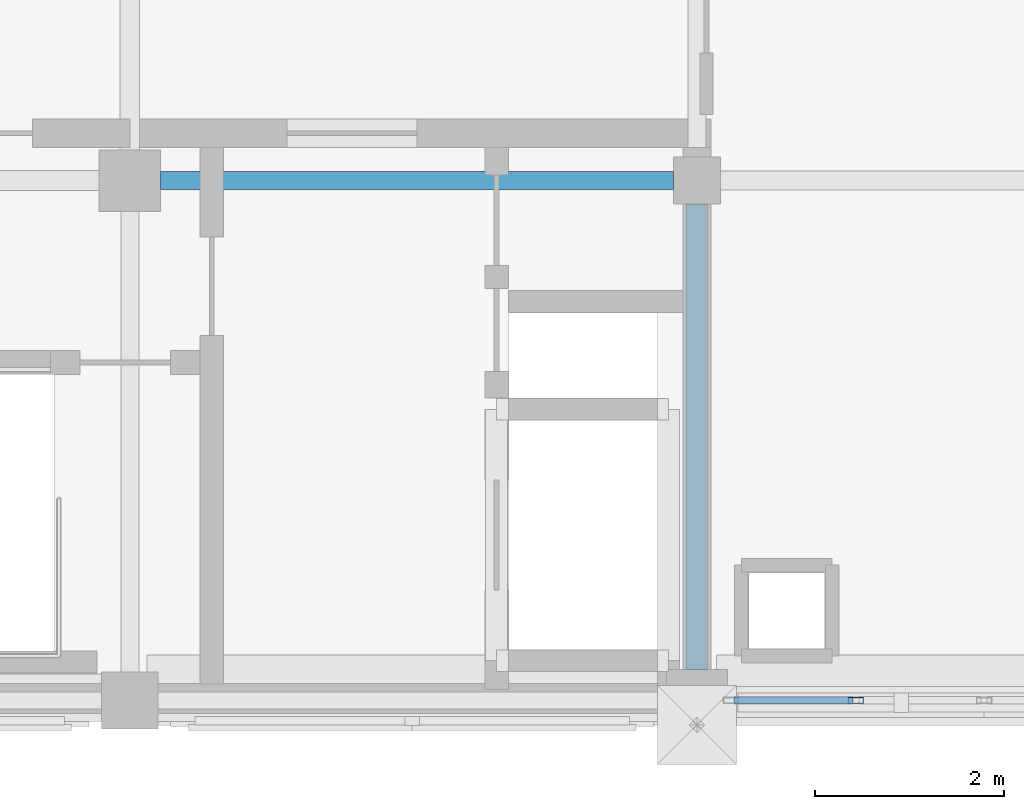
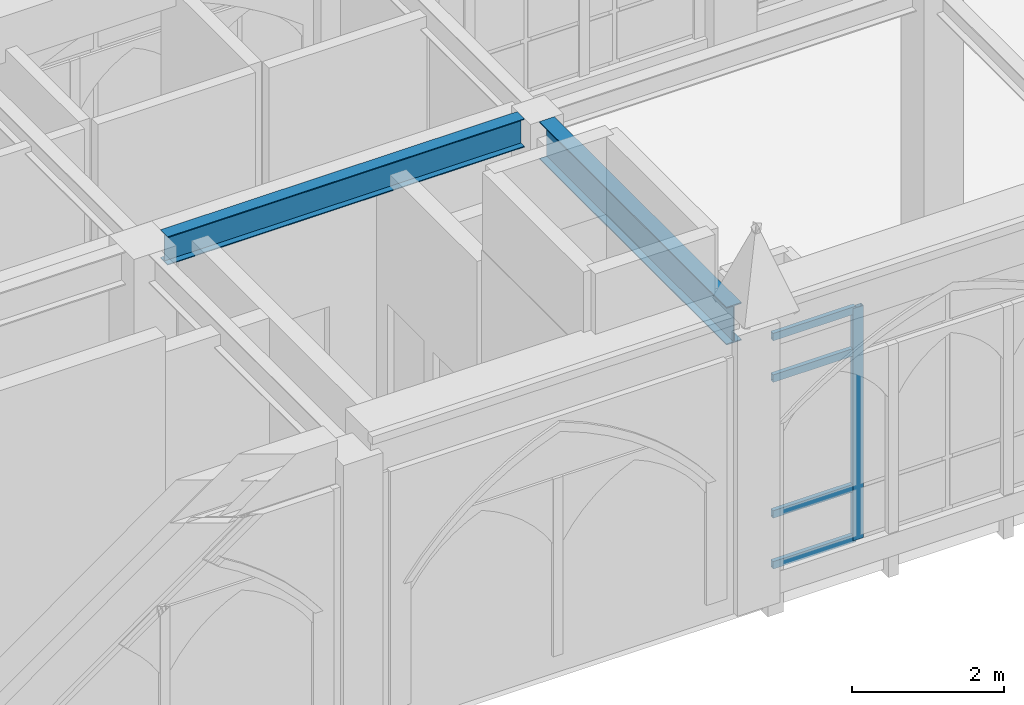
# One storey, part 3 of 143: 5 members, 2 beams, 1 element without a shape of its own.
"""IFC4 building model written with IfcOpenShell, lengths in metres."""

from ifc_helpers import new_model, si_unit, direction, frame, origin, origin_2d, place, context, subcontext, project, spatial, hollow_rectangle, i_section, extrude, material, layer, layer_set, material_profile, profile_set, type_object, element, aggregate, save


model = new_model("IFC4")

# Units and contexts
model_context = context("Model", 3, precision=1e-05, world=origin(), true_north=direction((0.0, 1.0)))
body_context = subcontext(model_context, "Body", "Model", "MODEL_VIEW")
ifc_project = project(units=[si_unit("LENGTHUNIT", "METRE"), si_unit("AREAUNIT", "SQUARE_METRE"), si_unit("VOLUMEUNIT", "CUBIC_METRE"), si_unit("PLANEANGLEUNIT", "RADIAN"), si_unit("MASSUNIT", "GRAM", prefix="KILO")], contexts=[model_context])

# Site, building, storey
site_placement = place(None, origin())
site = spatial("IfcSite", under=ifc_project, at=site_placement, CompositionType="ELEMENT")
building_placement = place(site_placement, origin())
building = spatial("IfcBuilding", under=site, at=building_placement, Name="Cumevento Cable Car Station", CompositionType="ELEMENT")
storey_placement = place(building_placement, frame((0.0, 0.0, 9.0)))
storey = spatial("IfcBuildingStorey", under=building, at=storey_placement, Name="L03", CompositionType="ELEMENT", Elevation=9.0)

# Curtain wall, members
ifc_material_1 = material(Name="Anodised Bronze Aluminium AW-6063-T6", Category="aluminium")
ifc_layer = layer(ifc_material_1, 0.18408203125)
ifc_layer_set = layer_set([ifc_layer], Name="Anodised Bronze Aluminium AW-6063-T6")
curtain_wall_type = type_object("IfcCurtainWallType", Name="Lancet Curtain Wall CW-05 1210", PredefinedType="NOTDEFINED", material=ifc_layer_set)
curtain_wall_placement = place(storey_placement, origin())
curtain_wall = element("IfcCurtainWall", 1, at=curtain_wall_placement, inside=storey, type_object=curtain_wall_type, Name="Lancet Curtain Wall CW-05 L03 #68", PredefinedType="NOTDEFINED")
ifc_material_2 = material(Name="Anodised Bronze Aluminium AW-6063-T6", Category="aluminium")
ifc_material_profile_1 = material_profile(ifc_material_2, hollow_rectangle(XDim=0.06494140625, YDim=0.159912109375, WallThickness=0.00390625, at=origin_2d()), Name="ALUM65x160x4")
ifc_profile_set_1 = profile_set([ifc_material_profile_1], Name="Anodised Bronze Aluminium AW-6063-T6")
member_type_1 = type_object("IfcMemberType", Name="Curtain Mullion CWM-01 ALUM65x160x4", PredefinedType="MULLION", material=ifc_profile_set_1)
member_1_placement = place(storey_placement, frame((35.68115234375, 4.0, 0.360107421875), z_axis=(0.0, 0.0, 1.0), x_axis=(0.0, -1.0, 0.0)))
member_1 = element("IfcMember", 2, at=member_1_placement, type_object=member_type_1, Name="CW-05 mullion 4", PredefinedType="MULLION", context=body_context, shape_type="SweptSolid", body=[
    extrude(hollow_rectangle(XDim=0.06494140625, YDim=0.159912109375, WallThickness=0.00390625, at=origin_2d()), origin(), (0.0, 0.0, 1.0), 3.73291015625),
])
ifc_material_3 = material(Name="Anodised Bronze Aluminium AW-6063-T6", Category="aluminium")
ifc_material_profile_2 = material_profile(ifc_material_3, hollow_rectangle(XDim=0.06494140625, YDim=0.1201171875, WallThickness=0.00390625, at=origin_2d()), Name="ALUT65x120x4")
ifc_profile_set_2 = profile_set([ifc_material_profile_2], Name="Anodised Bronze Aluminium AW-6063-T6")
member_type_2 = type_object("IfcMemberType", Name="Curtain Transom CWT-01 ALUT65x120x4", PredefinedType="USERDEFINED", material=ifc_profile_set_2)
member_2_placement = place(storey_placement, frame((35.648681640625, 4.0, 0.392578125), z_axis=(-1.0, 0.0, 0.0), x_axis=(0.0, -1.0, 0.0)))
member_2 = element("IfcMember", 3, at=member_2_placement, type_object=member_type_2, Name="CW-05 transom 4.1", ObjectType="TRANSOM", PredefinedType="USERDEFINED", context=body_context, shape_type="SweptSolid", body=[
    extrude(hollow_rectangle(XDim=0.06494140625, YDim=0.1201171875, WallThickness=0.00390625, at=origin_2d()), origin(), (0.0, 0.0, 1.0), 1.2587890625),
])
member_3_placement = place(storey_placement, frame((35.648681640625, 4.0, 1.2099609375), z_axis=(-1.0, 0.0, 0.0), x_axis=(0.0, -1.0, 0.0)))
member_3 = element("IfcMember", 4, at=member_3_placement, type_object=member_type_2, Name="CW-05 transom 4.2", ObjectType="TRANSOM", PredefinedType="USERDEFINED", context=body_context, shape_type="SweptSolid", body=[
    extrude(hollow_rectangle(XDim=0.06494140625, YDim=0.1201171875, WallThickness=0.00390625, at=origin_2d()), origin(), (0.0, 0.0, 1.0), 1.2587890625),
])
member_4_placement = place(storey_placement, frame((35.648681640625, 4.0, 3.39306640625), z_axis=(-1.0, 0.0, 0.0), x_axis=(0.0, -1.0, 0.0)))
member_4 = element("IfcMember", 5, at=member_4_placement, type_object=member_type_2, Name="CW-05 transom 4.3", ObjectType="TRANSOM", PredefinedType="USERDEFINED", context=body_context, shape_type="SweptSolid", body=[
    extrude(hollow_rectangle(XDim=0.06494140625, YDim=0.1201171875, WallThickness=0.00390625, at=origin_2d()), origin(), (0.0, 0.0, 1.0), 1.2587890625),
])
member_5_placement = place(storey_placement, frame((35.648681640625, 4.0, 4.060546875), z_axis=(-1.0, 0.0, 0.0), x_axis=(0.0, -1.0, 0.0)))
member_5 = element("IfcMember", 6, at=member_5_placement, type_object=member_type_2, Name="CW-05 transom 4.4", ObjectType="TRANSOM", PredefinedType="USERDEFINED", context=body_context, shape_type="SweptSolid", body=[
    extrude(hollow_rectangle(XDim=0.06494140625, YDim=0.1201171875, WallThickness=0.00390625, at=origin_2d()), origin(), (0.0, 0.0, 1.0), 1.2587890625),
])
aggregate(curtain_wall, [member_1, member_2, member_3, member_4, member_5])

# Beams
ifc_material_4 = material(Name="Steel ASTM A572 Grade 50", Category="steel")
ifc_material_profile_3 = material_profile(ifc_material_4, i_section(OverallWidth=0.22802734375, OverallDepth=0.60791015625, WebThickness=0.01123046875, FlangeThickness=0.017333984375, at=origin_2d()), Name="W610x113.0")
ifc_profile_set_3 = profile_set([ifc_material_profile_3], Name="Steel ASTM A572 Grade 50")
beam_type_1 = type_object("IfcBeamType", Name="Structural Beam BM-02 W610x113.0", PredefinedType="BEAM", material=ifc_profile_set_3)
beam_1_placement = place(storey_placement, frame((34.0, 4.324951171875, 4.196044921875), z_axis=(0.0, 1.0, 0.0), x_axis=(-1.0, 0.0, 0.0)))
element("IfcBeam", 7, at=beam_1_placement, inside=storey, type_object=beam_type_1, Name="Beam BM-02 L03 #940", PredefinedType="BEAM", context=body_context, shape_type="SweptSolid", body=[
    extrude(i_section(OverallWidth=0.22802734375, OverallDepth=0.60791015625, WebThickness=0.01123046875, FlangeThickness=0.017333984375, at=origin_2d()), origin(), (0.0, 0.0, 1.0), 4.925048828125),
])
ifc_material_5 = material(Name="Steel ASTM A572 Grade 50", Category="steel")
ifc_material_profile_4 = material_profile(ifc_material_5, i_section(OverallWidth=0.18994140625, OverallDepth=0.45703125, WebThickness=0.009033203125, FlangeThickness=0.014404296875, at=origin_2d()), Name="W460x74.0")
ifc_profile_set_4 = profile_set([ifc_material_profile_4], Name="Steel ASTM A572 Grade 50")
beam_type_2 = type_object("IfcBeamType", Name="Structural Beam BM-04 W460x74.0", PredefinedType="BEAM", material=ifc_profile_set_4)
beam_2_placement = place(storey_placement, frame((28.324951171875, 9.5, 4.271484375), z_axis=(1.0, 0.0, 0.0), x_axis=(0.0, 1.0, 0.0)))
element("IfcBeam", 8, at=beam_2_placement, inside=storey, type_object=beam_type_2, Name="Beam BM-04 L03 #929", PredefinedType="BEAM", context=body_context, shape_type="SweptSolid", body=[
    extrude(i_section(OverallWidth=0.18994140625, OverallDepth=0.45703125, WebThickness=0.009033203125, FlangeThickness=0.014404296875, at=origin_2d()), origin(), (0.0, 0.0, 1.0), 5.425048828125),
])

save(model, "model.ifc")
